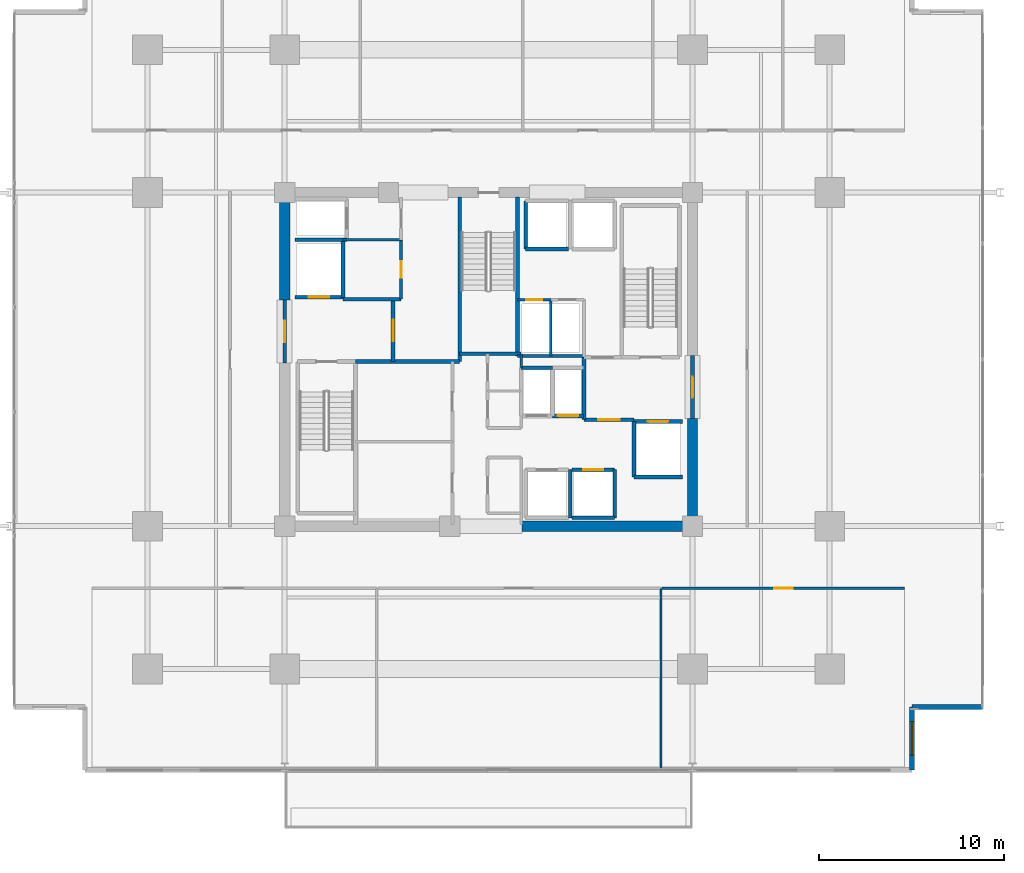
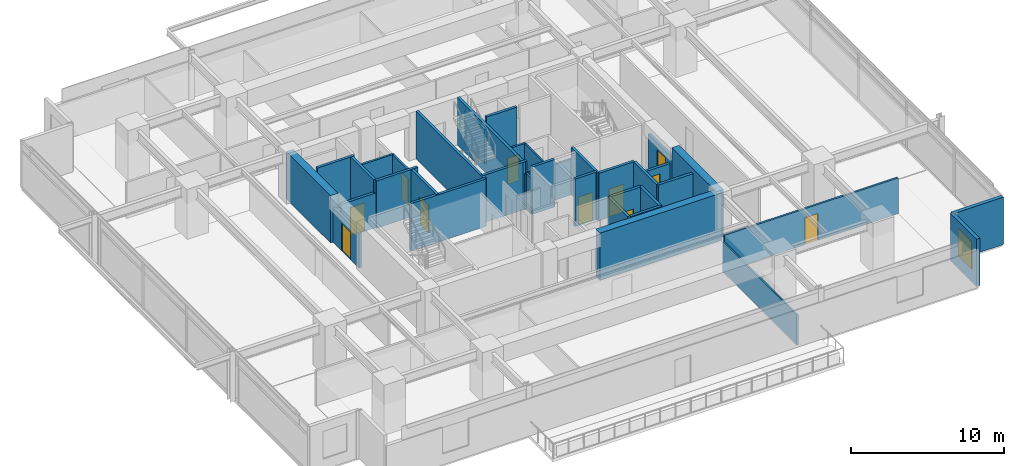
# One storey, part 16 of 22: 37 walls, 11 doors, 1 window, 12 openings.
"""IFC4 building model written with IfcOpenShell, lengths in metres."""

from ifc_helpers import new_model, si_unit, direction, frame, frame_2d, origin, place, context, subcontext, project, spatial, rectangle, extrude, material, layer, layer_set, type_object, element, fill, save


model = new_model("IFC4")

# Units and contexts
model_context = context("Model", 3, precision=1e-05, world=origin(), true_north=direction((0.0, 1.0)))
body_context = subcontext(model_context, "Body", "Model", "MODEL_VIEW")
ifc_project = project(units=[si_unit("LENGTHUNIT", "METRE"), si_unit("AREAUNIT", "SQUARE_METRE"), si_unit("VOLUMEUNIT", "CUBIC_METRE"), si_unit("PLANEANGLEUNIT", "RADIAN"), si_unit("MASSUNIT", "GRAM", prefix="KILO")], contexts=[model_context])

# Site, building, storey
site_placement = place(None, origin())
site = spatial("IfcSite", under=ifc_project, at=site_placement, CompositionType="ELEMENT")
building_placement = place(site_placement, origin())
building = spatial("IfcBuilding", under=site, at=building_placement, Name="Kovane Verandah Tower", CompositionType="ELEMENT")
storey_placement = place(building_placement, frame((0.0, 0.0, 156.39990234375)))
storey = spatial("IfcBuildingStorey", under=building, at=storey_placement, Name="L36", CompositionType="ELEMENT", Elevation=156.39990234375)

# Walls
ifc_material_1 = material(Name="Fire-Rated Gypsum Stud Partition", Category="gypsum")
ifc_layer_1 = layer(ifc_material_1, 0.14990234375)
ifc_layer_set_1 = layer_set([ifc_layer_1], Name="Fire-Rated Gypsum Stud Partition")
wall_type_1 = type_object("IfcWallType", Name="WL-COR-150", PredefinedType="PARTITIONING", material=ifc_layer_set_1)
wall_1_placement = place(storey_placement, frame((41.760009765625, 27.050048828125, 0.0), z_axis=(0.0, 0.0, 1.0), x_axis=(0.0, 1.0, 0.0)))
element("IfcWall", 1, at=wall_1_placement, inside=storey, type_object=wall_type_1, Name="L36 Central Core Strip Upper East Wall", PredefinedType="PARTITIONING", context=body_context, shape_type="SweptSolid", body=[
    extrude(rectangle(XDim=0.75, YDim=0.14990234375, at=frame_2d((0.375, 0.0))), origin(), (0.0, 0.0, 1.0), 2.85009765625),
])
wall_2_placement = place(storey_placement, frame((32.14990234375, 33.949951171875, 0.0), z_axis=(0.0, 0.0, 1.0), x_axis=(1.0, 0.0, 0.0)))
element("IfcWall", 2, at=wall_2_placement, inside=storey, type_object=wall_type_1, Name="L36 Goods Lift Lobby South Wall", PredefinedType="PARTITIONING", context=body_context, shape_type="SweptSolid", body=[
    extrude(rectangle(XDim=3.130126953125, YDim=0.14990234375, at=frame_2d((1.56494140625, 0.0))), origin(), (0.0, 0.0, 1.0), 2.85009765625),
])

# Wall, opening, door
wall_3_placement = place(storey_placement, frame((35.280029296875, 30.75, 0.0), z_axis=(0.0, 0.0, 1.0), x_axis=(0.0, 1.0, 0.0)))
wall_3 = element("IfcWall", 3, at=wall_3_placement, inside=storey, type_object=wall_type_1, Name="L36 Accessible Unisex Toilet Partition", PredefinedType="PARTITIONING", context=body_context, shape_type="SweptSolid", body=[
    extrude(rectangle(XDim=3.199951171875, YDim=0.14990234375, at=frame_2d((1.60009765625, 0.0))), origin(), (0.0, 0.0, 1.0), 2.85009765625),
])
opening_1_placement = place(wall_3_placement, frame((1.14990234375, 0.0, 0.0)))
opening_1 = element("IfcOpeningElement", 4, at=opening_1_placement, cuts=wall_3, Name="Opening DR-L36-027", PredefinedType="OPENING", context=body_context, shape_type="SweptSolid", body=[
    extrude(rectangle(XDim=0.89990234375, YDim=2.10009765625, at=frame_2d((0.449951171875, 1.050048828125))), frame((0.0, 0.074951171875, 0.0), z_axis=(0.0, -1.0, 0.0), x_axis=(1.0, 0.0, 0.0)), (0.0, 0.0, 1.0), 0.14990234375),
])
ifc_material_2 = material(Name="Moisture-Resistant Laminate Washroom Door", Category="wood")
door_type_1 = type_object("IfcDoorType", Name="DR-WC-900", OperationType="SINGLE_SWING_LEFT", PredefinedType="DOOR", material=ifc_material_2)
door_1_placement = place(opening_1_placement, origin())
door_1 = element("IfcDoor", 5, at=door_1_placement, inside=storey, type_object=door_type_1, Name="L36 Accessible Unisex Toilet Door", OperationType="SINGLE_SWING_RIGHT", OverallHeight=2.10009765625, OverallWidth=0.89990234375, PredefinedType="DOOR", context=body_context, shape_type="SweptSolid", body=[
    extrude(rectangle(XDim=0.89990234375, YDim=2.10009765625, at=frame_2d((0.449951171875, 1.050048828125))), frame((0.0, 0.02490234375, 0.0), z_axis=(0.0, -1.0, 0.0), x_axis=(1.0, 0.0, 0.0)), (0.0, 0.0, 1.0), 0.050048828125),
])
fill(opening_1, door_1)

# Wall
wall_4_placement = place(storey_placement, frame((41.56005859375, 27.679931640625, 0.0), z_axis=(0.0, 0.0, 1.0), x_axis=(1.0, 0.0, 0.0)))
element("IfcWall", 6, at=wall_4_placement, inside=storey, type_object=wall_type_1, Name="L36 East Core Service Riser South Wall", PredefinedType="PARTITIONING", context=body_context, shape_type="SweptSolid", body=[
    extrude(rectangle(XDim=3.58984375, YDim=0.14990234375, at=frame_2d((1.794921875, 0.0))), origin(), (0.0, 0.0, 1.0), 2.85009765625),
])

# Wall, opening, door
wall_5_placement = place(storey_placement, frame((41.56005859375, 30.719970703125, 0.0), z_axis=(0.0, 0.0, 1.0), x_axis=(1.0, 0.0, 0.0)))
wall_5 = element("IfcWall", 7, at=wall_5_placement, inside=storey, type_object=wall_type_1, Name="L36 Chilled Water Riser Room Partition", PredefinedType="PARTITIONING", context=body_context, shape_type="SweptSolid", body=[
    extrude(rectangle(XDim=1.800048828125, YDim=0.14990234375, at=frame_2d((0.89990234375, 0.0))), origin(), (0.0, 0.0, 1.0), 2.85009765625),
])
opening_2_placement = place(wall_5_placement, frame((0.4599609375, 0.0, 0.0)))
opening_2 = element("IfcOpeningElement", 8, at=opening_2_placement, cuts=wall_5, Name="Opening DR-L36-015", PredefinedType="OPENING", context=body_context, shape_type="SweptSolid", body=[
    extrude(rectangle(XDim=0.8798828125, YDim=2.10009765625, at=frame_2d((0.43994140625, 1.050048828125))), frame((0.0, 0.074951171875, 0.0), z_axis=(0.0, -1.0, 0.0), x_axis=(1.0, 0.0, 0.0)), (0.0, 0.0, 1.0), 0.14990234375),
])
ifc_material_3 = material(Name="Fire-Rated Steel Riser Access Door", Category="steel")
door_type_2 = type_object("IfcDoorType", Name="DR-RISER-880", OperationType="SINGLE_SWING_LEFT", PredefinedType="DOOR", material=ifc_material_3)
door_2_placement = place(opening_2_placement, origin())
door_2 = element("IfcDoor", 9, at=door_2_placement, inside=storey, type_object=door_type_2, Name="L36 Chilled Water Riser Room Door", OperationType="SINGLE_SWING_LEFT", OverallHeight=2.10009765625, OverallWidth=0.8798828125, PredefinedType="DOOR", context=body_context, shape_type="SweptSolid", body=[
    extrude(rectangle(XDim=0.8798828125, YDim=2.10009765625, at=frame_2d((0.43994140625, 1.050048828125))), frame((0.0, 0.02490234375, 0.0), z_axis=(0.0, -1.0, 0.0), x_axis=(1.0, 0.0, 0.0)), (0.0, 0.0, 1.0), 0.050048828125),
])
fill(opening_2, door_2)

wall_6_placement = place(storey_placement, frame((49.365234375, 15.14990234375, 0.0), z_axis=(0.0, 0.0, 1.0), x_axis=(1.0, 0.0, 0.0)))
wall_6 = element("IfcWall", 10, at=wall_6_placement, inside=storey, type_object=wall_type_1, Name="L36 Meeting Room S3 Corridor Partition", PredefinedType="PARTITIONING", context=body_context, shape_type="SweptSolid", body=[
    extrude(rectangle(XDim=13.07666015625, YDim=0.14990234375, at=frame_2d((6.538330078125, 0.0))), origin(), (0.0, 0.0, 1.0), 2.85009765625),
])
opening_3_placement = place(wall_6_placement, frame((6.038330078125, 0.0, 0.0)))
opening_3 = element("IfcOpeningElement", 11, at=opening_3_placement, cuts=wall_6, Name="Opening DR-L36-025", PredefinedType="OPENING", context=body_context, shape_type="SweptSolid", body=[
    extrude(rectangle(XDim=1.0, YDim=2.14990234375, at=frame_2d((0.5, 1.074951171875))), frame((0.0, 0.074951171875, 0.0), z_axis=(0.0, -1.0, 0.0), x_axis=(1.0, 0.0, 0.0)), (0.0, 0.0, 1.0), 0.14990234375),
])
ifc_material_4 = material(Name="FSC Spotted-Gum Timber Fire-Rated Office Door", Category="wood")
door_type_3 = type_object("IfcDoorType", Name="DR-OFF-1000", OperationType="SINGLE_SWING_LEFT", PredefinedType="DOOR", material=ifc_material_4)
door_3_placement = place(opening_3_placement, origin())
door_3 = element("IfcDoor", 12, at=door_3_placement, inside=storey, type_object=door_type_3, Name="L36 Meeting Room S3 Entrance Door", OperationType="SINGLE_SWING_LEFT", OverallHeight=2.14990234375, OverallWidth=1.0, PredefinedType="DOOR", context=body_context, shape_type="SweptSolid", body=[
    extrude(rectangle(XDim=1.0, YDim=2.14990234375, at=frame_2d((0.5, 1.074951171875))), frame((0.0, 0.02490234375, 0.0), z_axis=(0.0, -1.0, 0.0), x_axis=(1.0, 0.0, 0.0)), (0.0, 0.0, 1.0), 0.050048828125),
])
fill(opening_3, door_3)

# Walls
ifc_material_5 = material(Name="Concrete C60/75", Category="concrete")
ifc_layer_2 = layer(ifc_material_5, 0.550048828125)
ifc_layer_set_2 = layer_set([ifc_layer_2], Name="Concrete C60/75")
wall_type_2 = type_object("IfcWallType", Name="WL-CORE-550", PredefinedType="SHEAR", material=ifc_layer_set_2)
wall_7_placement = place(storey_placement, frame((41.800048828125, 18.5, 0.0), z_axis=(0.0, 0.0, 1.0), x_axis=(1.0, 0.0, 0.0)))
element("IfcWall", 13, at=wall_7_placement, inside=storey, type_object=wall_type_2, Name="L36 Core Shear Wall CS-2", PredefinedType="SHEAR", context=body_context, shape_type="SweptSolid", body=[
    extrude(rectangle(XDim=9.199951171875, YDim=0.550048828125, at=frame_2d((4.60009765625, 0.0))), origin(), (0.0, 0.0, 1.0), 3.775146484375),
])
for number, where, z_axis, x_axis, name in (
    (14, (29.0, 30.699951171875, 0.0), (0.0, 0.0, 1.0), (0.0, 1.0, 0.0), "L36 Core Shear Wall CW-2"),
    (15, (51.0, 18.5, 0.0), (0.0, 0.0, 1.0), (0.0, 1.0, 0.0), "L36 Core Shear Wall CE-1"),
):
    element("IfcWall", number, at=place(storey_placement, frame(where, z_axis=z_axis, x_axis=x_axis)), inside=storey, type_object=wall_type_2, Name=name, PredefinedType="SHEAR", context=body_context, shape_type="SweptSolid", body=[
        extrude(rectangle(XDim=5.800048828125, YDim=0.550048828125, at=frame_2d((2.89990234375, 0.0))), origin(), (0.0, 0.0, 1.0), 3.775146484375),
    ])

# Wall, opening, door
ifc_material_6 = material(Name="Concrete C45/55 Fire Wall", Category="concrete")
ifc_layer_3 = layer(ifc_material_6, 0.199951171875)
ifc_layer_set_3 = layer_set([ifc_layer_3], Name="Concrete C45/55 Fire Wall")
wall_type_3 = type_object("IfcWallType", Name="WL-FFL-200", PredefinedType="PARTITIONING", material=ifc_layer_set_3)
wall_8_placement = place(storey_placement, frame((34.85009765625, 27.3798828125, 0.0), z_axis=(0.0, 0.0, 1.0), x_axis=(0.0, 1.0, 0.0)))
wall_8 = element("IfcWall", 16, at=wall_8_placement, inside=storey, type_object=wall_type_3, Name="W-L36-FFLW-E", PredefinedType="PARTITIONING", context=body_context, shape_type="SweptSolid", body=[
    extrude(rectangle(XDim=3.3701171875, YDim=0.199951171875, at=frame_2d((1.68505859375, 0.0))), origin(), (0.0, 0.0, 1.0), 3.775146484375),
])
opening_4_placement = place(wall_8_placement, frame((1.110107421875, 0.0, 0.0)))
opening_4 = element("IfcOpeningElement", 17, at=opening_4_placement, cuts=wall_8, Name="Opening DR-L36-006", PredefinedType="OPENING", context=body_context, shape_type="SweptSolid", body=[
    extrude(rectangle(XDim=1.14990234375, YDim=2.199951171875, at=frame_2d((0.574951171875, 1.10009765625))), frame((0.0, 0.10009765625, 0.0), z_axis=(0.0, -1.0, 0.0), x_axis=(1.0, 0.0, 0.0)), (0.0, 0.0, 1.0), 0.199951171875),
])
ifc_material_7 = material(Name="Smoke-Sealed Firefighting Lobby Door", Category="steel")
door_type_4 = type_object("IfcDoorType", Name="DR-FFL-1150", OperationType="SINGLE_SWING_LEFT", PredefinedType="DOOR", material=ifc_material_7)
door_4_placement = place(opening_4_placement, origin())
door_4 = element("IfcDoor", 18, at=door_4_placement, inside=storey, type_object=door_type_4, Name="L36 West Firefighting Lobby Inner Door", OperationType="SINGLE_SWING_LEFT", OverallHeight=2.199951171875, OverallWidth=1.14990234375, PredefinedType="DOOR", context=body_context, shape_type="SweptSolid", body=[
    extrude(rectangle(XDim=1.14990234375, YDim=2.199951171875, at=frame_2d((0.574951171875, 1.10009765625))), frame((0.0, 0.02490234375, 0.0), z_axis=(0.0, -1.0, 0.0), x_axis=(1.0, 0.0, 0.0)), (0.0, 0.0, 1.0), 0.050048828125),
])
fill(opening_4, door_4)

wall_9_placement = place(storey_placement, frame((29.0, 27.300048828125, 0.0), z_axis=(0.0, 0.0, 1.0), x_axis=(0.0, 1.0, 0.0)))
wall_9 = element("IfcWall", 19, at=wall_9_placement, inside=storey, type_object=wall_type_3, Name="W-L36-FFLW-OUT", PredefinedType="PARTITIONING", context=body_context, shape_type="SweptSolid", body=[
    extrude(rectangle(XDim=3.39990234375, YDim=0.199951171875, at=frame_2d((1.699951171875, 0.0))), origin(), (0.0, 0.0, 1.0), 2.755126953125),
])
opening_5_placement = place(wall_9_placement, frame((1.125, 0.0, 0.0)))
opening_5 = element("IfcOpeningElement", 20, at=opening_5_placement, cuts=wall_9, Name="Opening DR-L36-007", PredefinedType="OPENING", context=body_context, shape_type="SweptSolid", body=[
    extrude(rectangle(XDim=1.14990234375, YDim=2.199951171875, at=frame_2d((0.574951171875, 1.10009765625))), frame((0.0, 0.10009765625, 0.0), z_axis=(0.0, -1.0, 0.0), x_axis=(1.0, 0.0, 0.0)), (0.0, 0.0, 1.0), 0.199951171875),
])
door_5_placement = place(opening_5_placement, origin())
door_5 = element("IfcDoor", 21, at=door_5_placement, inside=storey, type_object=door_type_4, Name="L36 West Firefighting Lobby Corridor Door", OperationType="SINGLE_SWING_RIGHT", OverallHeight=2.199951171875, OverallWidth=1.14990234375, PredefinedType="DOOR", context=body_context, shape_type="SweptSolid", body=[
    extrude(rectangle(XDim=1.14990234375, YDim=2.199951171875, at=frame_2d((0.574951171875, 1.10009765625))), frame((0.0, 0.02490234375, 0.0), z_axis=(0.0, -1.0, 0.0), x_axis=(1.0, 0.0, 0.0)), (0.0, 0.0, 1.0), 0.050048828125),
])
fill(opening_5, door_5)

# Walls
wall_10_placement = place(storey_placement, frame((32.820068359375, 27.3798828125, 0.0), z_axis=(0.0, 0.0, 1.0), x_axis=(1.0, 0.0, 0.0)))
element("IfcWall", 22, at=wall_10_placement, inside=storey, type_object=wall_type_3, Name="L36 West Firefighting Lobby South Fire Wall", PredefinedType="PARTITIONING", context=body_context, shape_type="SweptSolid", body=[
    extrude(rectangle(XDim=5.619873046875, YDim=0.199951171875, at=frame_2d((2.81005859375, 0.0))), origin(), (0.0, 0.0, 1.0), 3.775146484375),
])
wall_11_placement = place(storey_placement, frame((32.14990234375, 30.75, 0.0), z_axis=(0.0, 0.0, 1.0), x_axis=(1.0, 0.0, 0.0)))
element("IfcWall", 23, at=wall_11_placement, inside=storey, type_object=wall_type_3, Name="L36 West Firefighting Lobby North Fire Wall", PredefinedType="PARTITIONING", context=body_context, shape_type="SweptSolid", body=[
    extrude(rectangle(XDim=3.130126953125, YDim=0.199951171875, at=frame_2d((1.56494140625, 0.0))), origin(), (0.0, 0.0, 1.0), 3.775146484375),
])
wall_12_placement = place(storey_placement, frame((45.14990234375, 24.25, 0.0), z_axis=(0.0, 0.0, 1.0), x_axis=(0.0, 1.0, 0.0)))
element("IfcWall", 24, at=wall_12_placement, inside=storey, type_object=wall_type_3, Name="L36 East Firefighting Lobby West Fire Wall", PredefinedType="PARTITIONING", context=body_context, shape_type="SweptSolid", body=[
    extrude(rectangle(XDim=3.3701171875, YDim=0.199951171875, at=frame_2d((1.68505859375, 0.0))), origin(), (0.0, 0.0, 1.0), 3.775146484375),
])

# Wall, opening, door
wall_13_placement = place(storey_placement, frame((45.14990234375, 24.25, 0.0), z_axis=(0.0, 0.0, 1.0), x_axis=(1.0, 0.0, 0.0)))
wall_13 = element("IfcWall", 25, at=wall_13_placement, inside=storey, type_object=wall_type_3, Name="W-L36-FFLE-S", PredefinedType="PARTITIONING", context=body_context, shape_type="SweptSolid", body=[
    extrude(rectangle(XDim=2.7001953125, YDim=0.199951171875, at=frame_2d((1.35009765625, 0.0))), origin(), (0.0, 0.0, 1.0), 3.775146484375),
])
opening_6_placement = place(wall_13_placement, frame((0.77490234375, 0.0, 0.0)))
opening_6 = element("IfcOpeningElement", 26, at=opening_6_placement, cuts=wall_13, Name="Opening DR-L36-003", PredefinedType="OPENING", context=body_context, shape_type="SweptSolid", body=[
    extrude(rectangle(XDim=1.14990234375, YDim=2.199951171875, at=frame_2d((0.574951171875, 1.10009765625))), frame((0.0, 0.10009765625, 0.0), z_axis=(0.0, -1.0, 0.0), x_axis=(1.0, 0.0, 0.0)), (0.0, 0.0, 1.0), 0.199951171875),
])
door_6_placement = place(opening_6_placement, origin())
door_6 = element("IfcDoor", 27, at=door_6_placement, inside=storey, type_object=door_type_4, Name="L36 East Firefighting Lobby Inner Door", OperationType="SINGLE_SWING_RIGHT", OverallHeight=2.199951171875, OverallWidth=1.14990234375, PredefinedType="DOOR", context=body_context, shape_type="SweptSolid", body=[
    extrude(rectangle(XDim=1.14990234375, YDim=2.199951171875, at=frame_2d((0.574951171875, 1.10009765625))), frame((0.0, 0.02490234375, 0.0), z_axis=(0.0, -1.0, 0.0), x_axis=(1.0, 0.0, 0.0)), (0.0, 0.0, 1.0), 0.050048828125),
])
fill(opening_6, door_6)

wall_14_placement = place(storey_placement, frame((51.0, 24.300048828125, 0.0), z_axis=(0.0, 0.0, 1.0), x_axis=(0.0, 1.0, 0.0)))
wall_14 = element("IfcWall", 28, at=wall_14_placement, inside=storey, type_object=wall_type_3, Name="W-L36-FFLE-OUT", PredefinedType="PARTITIONING", context=body_context, shape_type="SweptSolid", body=[
    extrude(rectangle(XDim=3.39990234375, YDim=0.199951171875, at=frame_2d((1.699951171875, 0.0))), origin(), (0.0, 0.0, 1.0), 2.755126953125),
])
opening_7_placement = place(wall_14_placement, frame((1.125, 0.0, 0.0)))
opening_7 = element("IfcOpeningElement", 29, at=opening_7_placement, cuts=wall_14, Name="Opening DR-L36-005", PredefinedType="OPENING", context=body_context, shape_type="SweptSolid", body=[
    extrude(rectangle(XDim=1.14990234375, YDim=2.199951171875, at=frame_2d((0.574951171875, 1.10009765625))), frame((0.0, 0.10009765625, 0.0), z_axis=(0.0, -1.0, 0.0), x_axis=(1.0, 0.0, 0.0)), (0.0, 0.0, 1.0), 0.199951171875),
])
door_7_placement = place(opening_7_placement, origin())
door_7 = element("IfcDoor", 30, at=door_7_placement, inside=storey, type_object=door_type_4, Name="L36 East Firefighting Lobby Corridor Door", OperationType="SINGLE_SWING_LEFT", OverallHeight=2.199951171875, OverallWidth=1.14990234375, PredefinedType="DOOR", context=body_context, shape_type="SweptSolid", body=[
    extrude(rectangle(XDim=1.14990234375, YDim=2.199951171875, at=frame_2d((0.574951171875, 1.10009765625))), frame((0.0, 0.02490234375, 0.0), z_axis=(0.0, -1.0, 0.0), x_axis=(1.0, 0.0, 0.0)), (0.0, 0.0, 1.0), 0.050048828125),
])
fill(opening_7, door_7)

ifc_material_8 = material(Name="Concrete C45/55 Lift Shaft Wall", Category="concrete")
ifc_layer_4 = layer(ifc_material_8, 0.199951171875)
ifc_layer_set_4 = layer_set([ifc_layer_4], Name="Concrete C45/55 Lift Shaft Wall")
wall_type_4 = type_object("IfcWallType", Name="WL-LIFT-200", PredefinedType="SOLIDWALL", material=ifc_layer_set_4)
wall_15_placement = place(storey_placement, frame((29.550048828125, 30.85009765625, 0.0), z_axis=(0.0, 0.0, 1.0), x_axis=(1.0, 0.0, 0.0)))
wall_15 = element("IfcWall", 31, at=wall_15_placement, inside=storey, type_object=wall_type_4, Name="L36 Lift FL-01 S Shaft Wall", PredefinedType="SOLIDWALL", context=body_context, shape_type="SweptSolid", body=[
    extrude(rectangle(XDim=2.599853515625, YDim=0.199951171875, at=frame_2d((1.2998046875, 0.0))), origin(), (0.0, 0.0, 1.0), 2.755126953125),
])
opening_8_placement = place(wall_15_placement, frame((0.75, 0.0, 0.0)))
opening_8 = element("IfcOpeningElement", 32, at=opening_8_placement, cuts=wall_15, Name="Opening LD-L36-001", PredefinedType="OPENING", context=body_context, shape_type="SweptSolid", body=[
    extrude(rectangle(XDim=1.10009765625, YDim=2.199951171875, at=frame_2d((0.550048828125, 1.10009765625))), frame((0.0, 0.10009765625, 0.0), z_axis=(0.0, -1.0, 0.0), x_axis=(1.0, 0.0, 0.0)), (0.0, 0.0, 1.0), 0.199951171875),
])
ifc_material_9 = material(Name="Brushed Stainless Steel Sliding Lift Landing Door", Category="steel")
door_type_5 = type_object("IfcDoorType", Name="DR-LIFT-1100", OperationType="SLIDING_TO_RIGHT", PredefinedType="DOOR", material=ifc_material_9)
door_8_placement = place(opening_8_placement, origin())
door_8 = element("IfcDoor", 33, at=door_8_placement, inside=storey, type_object=door_type_5, Name="L36 Lift FL-01 Sliding Landing Door", OperationType="SLIDING_TO_RIGHT", OverallHeight=2.199951171875, OverallWidth=1.10009765625, PredefinedType="DOOR", context=body_context, shape_type="SweptSolid", body=[
    extrude(rectangle(XDim=1.10009765625, YDim=2.199951171875, at=frame_2d((0.550048828125, 1.10009765625))), frame((0.0, 0.02490234375, 0.0), z_axis=(0.0, -1.0, 0.0), x_axis=(1.0, 0.0, 0.0)), (0.0, 0.0, 1.0), 0.050048828125),
])
fill(opening_8, door_8)

# Walls
wall_16_placement = place(storey_placement, frame((29.550048828125, 33.949951171875, 0.0), z_axis=(0.0, 0.0, 1.0), x_axis=(1.0, 0.0, 0.0)))
element("IfcWall", 34, at=wall_16_placement, inside=storey, type_object=wall_type_4, Name="L36 Lift FL-01 and GL-01 Shared Shaft Wall", PredefinedType="SOLIDWALL", context=body_context, shape_type="SweptSolid", body=[
    extrude(rectangle(XDim=2.800048828125, YDim=0.199951171875, at=frame_2d((1.39990234375, 0.0))), origin(), (0.0, 0.0, 1.0), 3.775146484375),
])
wall_17_placement = place(storey_placement, frame((32.14990234375, 30.85009765625, 0.0), z_axis=(0.0, 0.0, 1.0), x_axis=(0.0, 1.0, 0.0)))
element("IfcWall", 35, at=wall_17_placement, inside=storey, type_object=wall_type_4, Name="L36 Lift FL-01 E Shaft Wall", PredefinedType="SOLIDWALL", context=body_context, shape_type="SweptSolid", body=[
    extrude(rectangle(XDim=3.0, YDim=0.199951171875, at=frame_2d((1.5, 0.0))), origin(), (0.0, 0.0, 1.0), 3.775146484375),
])
wall_18_placement = place(storey_placement, frame((47.85009765625, 21.14990234375, 0.0), z_axis=(0.0, 0.0, 1.0), x_axis=(1.0, 0.0, 0.0)))
element("IfcWall", 36, at=wall_18_placement, inside=storey, type_object=wall_type_4, Name="L36 Lift FL-02 S Shaft Wall", PredefinedType="SOLIDWALL", context=body_context, shape_type="SweptSolid", body=[
    extrude(rectangle(XDim=2.599853515625, YDim=0.199951171875, at=frame_2d((1.2998046875, 0.0))), origin(), (0.0, 0.0, 1.0), 3.775146484375),
])

# Wall, opening, door
wall_19_placement = place(storey_placement, frame((50.449951171875, 24.14990234375, 0.0), z_axis=(0.0, 0.0, 1.0), x_axis=(-1.0, 0.0, 0.0)))
wall_19 = element("IfcWall", 37, at=wall_19_placement, inside=storey, type_object=wall_type_4, Name="L36 Lift FL-02 N Shaft Wall", PredefinedType="SOLIDWALL", context=body_context, shape_type="SweptSolid", body=[
    extrude(rectangle(XDim=2.599853515625, YDim=0.199951171875, at=frame_2d((1.2998046875, 0.0))), origin(), (0.0, 0.0, 1.0), 2.755126953125),
])
opening_9_placement = place(wall_19_placement, frame((0.75, 0.0, 0.0)))
opening_9 = element("IfcOpeningElement", 38, at=opening_9_placement, cuts=wall_19, Name="Opening LD-L36-002", PredefinedType="OPENING", context=body_context, shape_type="SweptSolid", body=[
    extrude(rectangle(XDim=1.10009765625, YDim=2.199951171875, at=frame_2d((0.550048828125, 1.10009765625))), frame((0.0, 0.10009765625, 0.0), z_axis=(0.0, -1.0, 0.0), x_axis=(1.0, 0.0, 0.0)), (0.0, 0.0, 1.0), 0.199951171875),
])
door_9_placement = place(opening_9_placement, origin())
door_9 = element("IfcDoor", 39, at=door_9_placement, inside=storey, type_object=door_type_5, Name="L36 Lift FL-02 Sliding Landing Door", OperationType="SLIDING_TO_RIGHT", OverallHeight=2.199951171875, OverallWidth=1.10009765625, PredefinedType="DOOR", context=body_context, shape_type="SweptSolid", body=[
    extrude(rectangle(XDim=1.10009765625, YDim=2.199951171875, at=frame_2d((0.550048828125, 1.10009765625))), frame((0.0, 0.02490234375, 0.0), z_axis=(0.0, -1.0, 0.0), x_axis=(1.0, 0.0, 0.0)), (0.0, 0.0, 1.0), 0.050048828125),
])
fill(opening_9, door_9)

# Walls
wall_20_placement = place(storey_placement, frame((47.85009765625, 24.14990234375, 0.0), z_axis=(0.0, 0.0, 1.0), x_axis=(0.0, -1.0, 0.0)))
element("IfcWall", 40, at=wall_20_placement, inside=storey, type_object=wall_type_4, Name="L36 Lift FL-02 W Shaft Wall", PredefinedType="SOLIDWALL", context=body_context, shape_type="SweptSolid", body=[
    extrude(rectangle(XDim=3.0, YDim=0.199951171875, at=frame_2d((1.5, 0.0))), origin(), (0.0, 0.0, 1.0), 3.775146484375),
])
wall_21_placement = place(storey_placement, frame((44.39990234375, 18.949951171875, 0.0), z_axis=(0.0, 0.0, 1.0), x_axis=(0.0, 1.0, 0.0)))
element("IfcWall", 41, at=wall_21_placement, inside=storey, type_object=wall_type_4, Name="L36 Lift PL-M1 and PL-M2 Shared Shaft Wall", PredefinedType="SOLIDWALL", context=body_context, shape_type="SweptSolid", body=[
    extrude(rectangle(XDim=2.60009765625, YDim=0.199951171875, at=frame_2d((1.300048828125, 0.0))), origin(), (0.0, 0.0, 1.0), 3.775146484375),
])
wall_22_placement = place(storey_placement, frame((44.5, 18.949951171875, 0.0), z_axis=(0.0, 0.0, 1.0), x_axis=(1.0, 0.0, 0.0)))
element("IfcWall", 42, at=wall_22_placement, inside=storey, type_object=wall_type_4, Name="L36 Lift PL-M2 S Shaft Wall", PredefinedType="SOLIDWALL", context=body_context, shape_type="SweptSolid", body=[
    extrude(rectangle(XDim=2.300048828125, YDim=0.199951171875, at=frame_2d((1.14990234375, 0.0))), origin(), (0.0, 0.0, 1.0), 3.775146484375),
])

# Wall, opening, door
wall_23_placement = place(storey_placement, frame((46.800048828125, 21.550048828125, 0.0), z_axis=(0.0, 0.0, 1.0), x_axis=(-1.0, 0.0, 0.0)))
wall_23 = element("IfcWall", 43, at=wall_23_placement, inside=storey, type_object=wall_type_4, Name="L36 Lift PL-M2 N Shaft Wall", PredefinedType="SOLIDWALL", context=body_context, shape_type="SweptSolid", body=[
    extrude(rectangle(XDim=2.300048828125, YDim=0.199951171875, at=frame_2d((1.14990234375, 0.0))), origin(), (0.0, 0.0, 1.0), 3.775146484375),
])
opening_10_placement = place(wall_23_placement, frame((0.60009765625, 0.0, 0.0)))
opening_10 = element("IfcOpeningElement", 44, at=opening_10_placement, cuts=wall_23, Name="Opening LD-L36-005", PredefinedType="OPENING", context=body_context, shape_type="SweptSolid", body=[
    extrude(rectangle(XDim=1.10009765625, YDim=2.199951171875, at=frame_2d((0.550048828125, 1.10009765625))), frame((0.0, 0.10009765625, 0.0), z_axis=(0.0, -1.0, 0.0), x_axis=(1.0, 0.0, 0.0)), (0.0, 0.0, 1.0), 0.199951171875),
])
door_10_placement = place(opening_10_placement, origin())
door_10 = element("IfcDoor", 45, at=door_10_placement, inside=storey, type_object=door_type_5, Name="L36 Lift PL-M2 Sliding Landing Door", OperationType="SLIDING_TO_RIGHT", OverallHeight=2.199951171875, OverallWidth=1.10009765625, PredefinedType="DOOR", context=body_context, shape_type="SweptSolid", body=[
    extrude(rectangle(XDim=1.10009765625, YDim=2.199951171875, at=frame_2d((0.550048828125, 1.10009765625))), frame((0.0, 0.02490234375, 0.0), z_axis=(0.0, -1.0, 0.0), x_axis=(1.0, 0.0, 0.0)), (0.0, 0.0, 1.0), 0.050048828125),
])
fill(opening_10, door_10)

# Walls
wall_24_placement = place(storey_placement, frame((46.800048828125, 18.949951171875, 0.0), z_axis=(0.0, 0.0, 1.0), x_axis=(0.0, 1.0, 0.0)))
element("IfcWall", 46, at=wall_24_placement, inside=storey, type_object=wall_type_4, Name="L36 Lift PL-M2 E Shaft Wall", PredefinedType="SOLIDWALL", context=body_context, shape_type="SweptSolid", body=[
    extrude(rectangle(XDim=2.60009765625, YDim=0.199951171875, at=frame_2d((1.300048828125, 0.0))), origin(), (0.0, 0.0, 1.0), 3.775146484375),
])
wall_25_placement = place(storey_placement, frame((43.43994140625, 27.050048828125, 0.0), z_axis=(0.0, 0.0, 1.0), x_axis=(-1.0, 0.0, 0.0)))
element("IfcWall", 47, at=wall_25_placement, inside=storey, type_object=wall_type_4, Name="L36 Lift PL-M3 N Shaft Wall", PredefinedType="SOLIDWALL", context=body_context, shape_type="SweptSolid", body=[
    extrude(rectangle(XDim=1.679931640625, YDim=0.199951171875, at=frame_2d((0.83984375, 0.0))), origin(), (0.0, 0.0, 1.0), 3.775146484375),
])

# Wall, opening, door
wall_26_placement = place(storey_placement, frame((43.4599609375, 24.449951171875, 0.0), z_axis=(0.0, 0.0, 1.0), x_axis=(1.0, 0.0, 0.0)))
wall_26 = element("IfcWall", 48, at=wall_26_placement, inside=storey, type_object=wall_type_4, Name="L36 Lift PL-M4 S Shaft Wall", PredefinedType="SOLIDWALL", context=body_context, shape_type="SweptSolid", body=[
    extrude(rectangle(XDim=1.66015625, YDim=0.199951171875, at=frame_2d((0.830078125, 0.0))), origin(), (0.0, 0.0, 1.0), 3.775146484375),
])
opening_11_placement = place(wall_26_placement, frame((0.280029296875, 0.0, 0.0)))
opening_11 = element("IfcOpeningElement", 49, at=opening_11_placement, cuts=wall_26, Name="Opening LD-L36-007", PredefinedType="OPENING", context=body_context, shape_type="SweptSolid", body=[
    extrude(rectangle(XDim=1.10009765625, YDim=2.199951171875, at=frame_2d((0.550048828125, 1.10009765625))), frame((0.0, 0.10009765625, 0.0), z_axis=(0.0, -1.0, 0.0), x_axis=(1.0, 0.0, 0.0)), (0.0, 0.0, 1.0), 0.199951171875),
])
door_11_placement = place(opening_11_placement, origin())
door_11 = element("IfcDoor", 50, at=door_11_placement, inside=storey, type_object=door_type_5, Name="L36 Lift PL-M4 Sliding Landing Door", OperationType="SLIDING_TO_RIGHT", OverallHeight=2.199951171875, OverallWidth=1.10009765625, PredefinedType="DOOR", context=body_context, shape_type="SweptSolid", body=[
    extrude(rectangle(XDim=1.10009765625, YDim=2.199951171875, at=frame_2d((0.550048828125, 1.10009765625))), frame((0.0, 0.02490234375, 0.0), z_axis=(0.0, -1.0, 0.0), x_axis=(1.0, 0.0, 0.0)), (0.0, 0.0, 1.0), 0.050048828125),
])
fill(opening_11, door_11)

# Walls
wall_27_placement = place(storey_placement, frame((42.0, 33.449951171875, 0.0), z_axis=(0.0, 0.0, 1.0), x_axis=(1.0, 0.0, 0.0)))
element("IfcWall", 51, at=wall_27_placement, inside=storey, type_object=wall_type_4, Name="L36 Lift SL-01 S Shaft Wall", PredefinedType="SOLIDWALL", context=body_context, shape_type="SweptSolid", body=[
    extrude(rectangle(XDim=2.300048828125, YDim=0.199951171875, at=frame_2d((1.14990234375, 0.0))), origin(), (0.0, 0.0, 1.0), 3.775146484375),
])
wall_28_placement = place(storey_placement, frame((42.0, 36.050048828125, 0.0), z_axis=(0.0, 0.0, 1.0), x_axis=(0.0, -1.0, 0.0)))
element("IfcWall", 52, at=wall_28_placement, inside=storey, type_object=wall_type_4, Name="L36 Lift SL-01 W Shaft Wall", PredefinedType="SOLIDWALL", context=body_context, shape_type="SweptSolid", body=[
    extrude(rectangle(XDim=2.60009765625, YDim=0.199951171875, at=frame_2d((1.300048828125, 0.0))), origin(), (0.0, 0.0, 1.0), 2.755126953125),
])
ifc_material_10 = material(Name="Acoustic Fire-Rated Gypsum Partition", Category="gypsum")
ifc_layer_5 = layer(ifc_material_10, 0.1201171875)
ifc_layer_set_5 = layer_set([ifc_layer_5], Name="Acoustic Fire-Rated Gypsum Partition")
wall_type_5 = type_object("IfcWallType", Name="WL-PART-120", PredefinedType="PARTITIONING", material=ifc_layer_set_5)
wall_29_placement = place(storey_placement, frame((43.360107421875, 27.679931640625, 0.0), z_axis=(0.0, 0.0, 1.0), x_axis=(0.0, 1.0, 0.0)))
element("IfcWall", 53, at=wall_29_placement, inside=storey, type_object=wall_type_5, Name="L36 Service Riser Dividing Partition", PredefinedType="PARTITIONING", context=body_context, shape_type="SweptSolid", body=[
    extrude(rectangle(XDim=3.0400390625, YDim=0.1201171875, at=frame_2d((1.52001953125, 0.0))), origin(), (0.0, 0.0, 1.0), 2.85009765625),
])
wall_30_placement = place(storey_placement, frame((49.29541015625, 5.453857421875, 0.0), z_axis=(0.0, 0.0, 1.0), x_axis=(0.0, 1.0, 0.0)))
element("IfcWall", 54, at=wall_30_placement, inside=storey, type_object=wall_type_5, Name="L36 Client Boardroom S2 Dividing Partition", PredefinedType="PARTITIONING", context=body_context, shape_type="SweptSolid", body=[
    extrude(rectangle(XDim=9.696044921875, YDim=0.1201171875, at=frame_2d((4.84814453125, 0.0))), origin(), (0.0, 0.0, 1.0), 2.405029296875),
])
ifc_material_11 = material(Name="Concrete C45/55", Category="concrete")
ifc_layer_6 = layer(ifc_material_11, 0.199951171875)
ifc_layer_set_6 = layer_set([ifc_layer_6], Name="Concrete C45/55")
wall_type_6 = type_object("IfcWallType", Name="WL-SHAFT-200", PredefinedType="SOLIDWALL", material=ifc_layer_set_6)
wall_31_placement = place(storey_placement, frame((38.43994140625, 27.3798828125, 0.0), z_axis=(0.0, 0.0, 1.0), x_axis=(0.0, 1.0, 0.0)))
element("IfcWall", 55, at=wall_31_placement, inside=storey, type_object=wall_type_6, Name="W-L36-ST03-W", PredefinedType="SOLIDWALL", context=body_context, shape_type="SweptSolid", body=[
    extrude(rectangle(XDim=8.8701171875, YDim=0.199951171875, at=frame_2d((4.43505859375, 0.0))), origin(), (0.0, 0.0, 1.0), 3.775146484375),
])
wall_32_placement = place(storey_placement, frame((41.56005859375, 27.679931640625, 0.0), z_axis=(0.0, 0.0, 1.0), x_axis=(0.0, 1.0, 0.0)))
element("IfcWall", 56, at=wall_32_placement, inside=storey, type_object=wall_type_6, Name="W-L36-ST03-E", PredefinedType="SOLIDWALL", context=body_context, shape_type="SweptSolid", body=[
    extrude(rectangle(XDim=8.570068359375, YDim=0.199951171875, at=frame_2d((4.28515625, 0.0))), origin(), (0.0, 0.0, 1.0), 3.775146484375),
])
wall_33_placement = place(storey_placement, frame((38.43994140625, 27.800048828125, 0.0), z_axis=(0.0, 0.0, 1.0), x_axis=(1.0, 0.0, 0.0)))
element("IfcWall", 57, at=wall_33_placement, inside=storey, type_object=wall_type_6, Name="W-L36-ST03-S", PredefinedType="SOLIDWALL", context=body_context, shape_type="SweptSolid", body=[
    extrude(rectangle(XDim=3.320068359375, YDim=0.199951171875, at=frame_2d((1.66015625, 0.0))), origin(), (0.0, 0.0, 1.0), 3.775146484375),
])

# Wall, opening, window
ifc_material_12 = material(Name="Concrete C45/55 Insulated Spandrel Wall", Category="concrete")
ifc_layer_7 = layer(ifc_material_12, 0.260009765625)
ifc_layer_set_7 = layer_set([ifc_layer_7], Name="Concrete C45/55 Insulated Spandrel Wall")
wall_type_7 = type_object("IfcWallType", Name="WL-SPANDREL-260", PredefinedType="PARAPET", material=ifc_layer_set_7)
wall_34_placement = place(storey_placement, frame((62.842041015625, 5.353759765625, 0.0), z_axis=(0.0, 0.0, 1.0), x_axis=(0.0, 1.0, 0.0)))
wall_34 = element("IfcWall", 58, at=wall_34_placement, inside=storey, type_object=wall_type_7, Name="L36 SE Notch Cheek Wall 1", PredefinedType="PARAPET", context=body_context, shape_type="SweptSolid", body=[
    extrude(rectangle(XDim=3.400146484375, YDim=0.260009765625, at=frame_2d((1.7001953125, 0.0))), origin(), (0.0, 0.0, 1.0), 3.775146484375),
])
opening_12_placement = place(wall_34_placement, frame((0.800048828125, 0.0, 0.85009765625)))
opening_12 = element("IfcOpeningElement", 59, at=opening_12_placement, cuts=wall_34, Name="Opening W-03", PredefinedType="OPENING", context=body_context, shape_type="SweptSolid", body=[
    extrude(rectangle(XDim=1.800048828125, YDim=2.199951171875, at=frame_2d((0.89990234375, 1.10009765625))), frame((0.0, 0.1298828125, 0.0), z_axis=(0.0, -1.0, 0.0), x_axis=(1.0, 0.0, 0.0)), (0.0, 0.0, 1.0), 0.260009765625),
])
ifc_material_13 = material(Name="Clear Low-E Laminated Double Glazing in Anodised Frame", Category="glass")
window_type = type_object("IfcWindowType", Name="WN-NOTCH-1800x2200", PartitioningType="SINGLE_PANEL", PredefinedType="WINDOW", material=ifc_material_13)
window_placement = place(opening_12_placement, origin())
window = element("IfcWindow", 60, at=window_placement, inside=storey, type_object=window_type, Name="L36 SE Re-Entrant Corner Operable Window", OverallHeight=2.199951171875, OverallWidth=1.800048828125, PartitioningType="SINGLE_PANEL", PredefinedType="WINDOW", context=body_context, shape_type="SweptSolid", body=[
    extrude(rectangle(XDim=1.800048828125, YDim=2.199951171875, at=frame_2d((0.89990234375, 1.10009765625))), frame((0.0, 0.030029296875, 0.0), z_axis=(0.0, -1.0, 0.0), x_axis=(1.0, 0.0, 0.0)), (0.0, 0.0, 1.0), 0.06005859375),
])
fill(opening_12, window)

# Wall
wall_35_placement = place(storey_placement, frame((62.842041015625, 8.75390625, 0.0), z_axis=(0.0, 0.0, 1.0), x_axis=(1.0, 0.0, 0.0)))
element("IfcWall", 61, at=wall_35_placement, inside=storey, type_object=wall_type_7, Name="L36 SE Notch Cheek Wall 2", PredefinedType="PARAPET", context=body_context, shape_type="SweptSolid", body=[
    extrude(rectangle(XDim=3.800048828125, YDim=0.260009765625, at=frame_2d((1.89990234375, 0.0))), origin(), (0.0, 0.0, 1.0), 3.775146484375),
])

save(model, "model.ifc")
